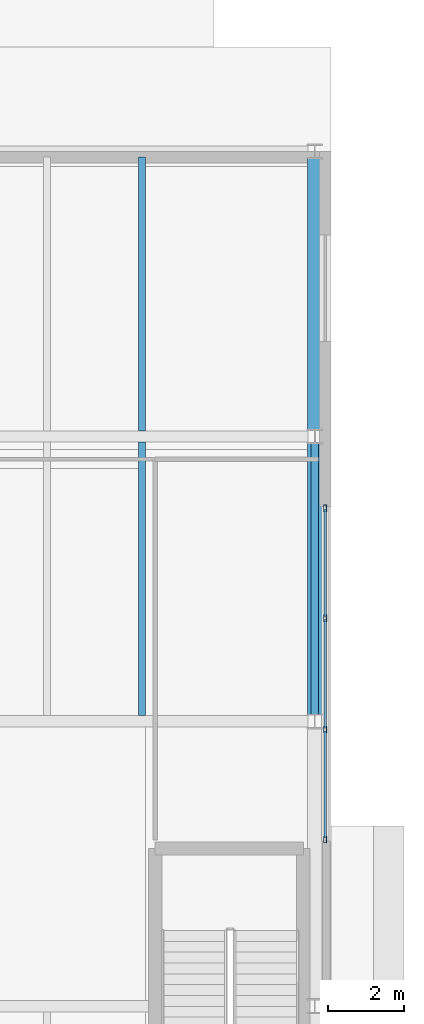
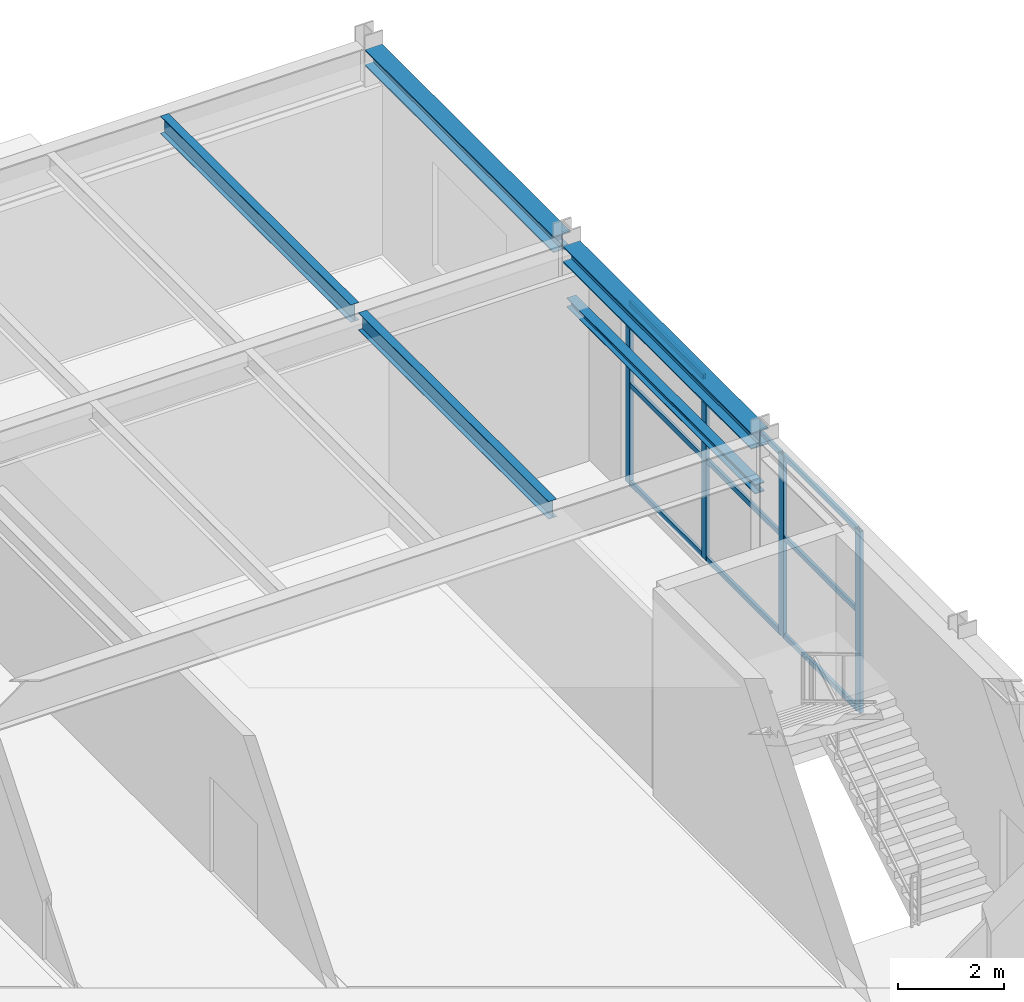
# One storey, part 11 of 21: 13 members, 5 beams, 1 element without a shape of its own.
"""IFC4 building model written with IfcOpenShell, lengths in metres."""

from ifc_helpers import new_model, si_unit, direction, frame, origin, origin_2d, place, context, subcontext, project, spatial, hollow_rectangle, i_section, extrude, material, layer, layer_set, material_profile, profile_set, type_object, element, aggregate, save


model = new_model("IFC4")

# Units and contexts
model_context = context("Model", 3, precision=1e-05, world=origin(), true_north=direction((0.0, 1.0)))
body_context = subcontext(model_context, "Body", "Model", "MODEL_VIEW")
ifc_project = project(units=[si_unit("LENGTHUNIT", "METRE"), si_unit("AREAUNIT", "SQUARE_METRE"), si_unit("VOLUMEUNIT", "CUBIC_METRE"), si_unit("PLANEANGLEUNIT", "RADIAN"), si_unit("MASSUNIT", "GRAM", prefix="KILO")], contexts=[model_context])

# Site, building, storey
site_placement = place(None, origin())
site = spatial("IfcSite", under=ifc_project, at=site_placement, CompositionType="ELEMENT")
building_placement = place(site_placement, origin())
building = spatial("IfcBuilding", under=site, at=building_placement, Name="Mersakhor Tower and Convention Hall", CompositionType="ELEMENT")
storey_placement = place(building_placement, origin())
storey = spatial("IfcBuildingStorey", under=building, at=storey_placement, Name="L00", CompositionType="ELEMENT", Elevation=0.0)

# Beams
ifc_material_1 = material(Name="Steel S355", Category="steel")
ifc_material_profile_1 = material_profile(ifc_material_1, i_section(OverallWidth=0.1787109375, OverallDepth=0.409423828125, WebThickness=0.0087890625, FlangeThickness=0.014404296875, at=origin_2d()), Name="UB 406x178x67")
ifc_profile_set_1 = profile_set([ifc_material_profile_1], Name="Steel S355")
beam_type_1 = type_object("IfcBeamType", Name="BM-JST-406", PredefinedType="JOIST", material=ifc_profile_set_1)
for number, where, z_axis, x_axis, name in (
    (1, (72.10009765625, 33.39697265625, 4.5751953125), (0.0, 1.0, 0.0), (-1.0, 0.0, 0.0), "Convention L00 Composite Floor Joist CJ-5-72"),
    (2, (72.10009765625, 40.89697265625, 4.5751953125), (0.0, 1.0, 0.0), (-1.0, 0.0, 0.0), "Convention L00 Composite Floor Joist CJ-6-72"),
):
    element("IfcBeam", number, at=place(storey_placement, frame(where, z_axis=z_axis, x_axis=x_axis)), inside=storey, type_object=beam_type_1, Name=name, PredefinedType="JOIST", context=body_context, shape_type="SweptSolid", body=[
        extrude(i_section(OverallWidth=0.1787109375, OverallDepth=0.409423828125, WebThickness=0.0087890625, FlangeThickness=0.014404296875, at=origin_2d()), origin(), (0.0, 0.0, 1.0), 7.2060546875),
    ])
ifc_material_2 = material(Name="Steel S355", Category="steel")
ifc_material_profile_2 = material_profile(ifc_material_2, i_section(OverallWidth=0.205810546875, OverallDepth=0.209716796875, WebThickness=0.009521484375, FlangeThickness=0.01416015625, at=origin_2d()), Name="UC 203x203x60")
ifc_profile_set_2 = profile_set([ifc_material_profile_2], Name="Steel S355")
beam_type_2 = type_object("IfcBeamType", Name="BM-LNT-UC203", PredefinedType="LINTEL", material=ifc_profile_set_2)
beam_placement = place(storey_placement, frame((76.64990234375, 33.429931640625, 3.449951171875), z_axis=(0.0, 1.0, 0.0), x_axis=(-1.0, 0.0, 0.0)))
element("IfcBeam", 3, at=beam_placement, inside=storey, type_object=beam_type_2, Name="Convention L00 Opening Lintel Beam LNT-5", PredefinedType="LINTEL", context=body_context, shape_type="SweptSolid", body=[
    extrude(i_section(OverallWidth=0.205810546875, OverallDepth=0.209716796875, WebThickness=0.009521484375, FlangeThickness=0.01416015625, at=origin_2d()), origin(), (0.0, 0.0, 1.0), 7.14013671875),
])
ifc_material_3 = material(Name="Steel S355", Category="steel")
ifc_material_profile_3 = material_profile(ifc_material_3, i_section(OverallWidth=0.374755859375, OverallDepth=0.37451171875, WebThickness=0.0166015625, FlangeThickness=0.027099609375, at=origin_2d()), Name="UC 356x368x202")
ifc_profile_set_3 = profile_set([ifc_material_profile_3], Name="Steel S355")
beam_type_3 = type_object("IfcBeamType", Name="BM-SPD-UC356", PredefinedType="SPANDREL", material=ifc_profile_set_3)
for number, where, z_axis, x_axis, name in (
    (4, (76.64990234375, 33.429931640625, 4.593017578125), (0.0, 1.0, 0.0), (-1.0, 0.0, 0.0), "Convention L00 Edge Spandrel E5"),
    (5, (76.64990234375, 40.929931640625, 4.593017578125), (0.0, 1.0, 0.0), (-1.0, 0.0, 0.0), "Convention L00 Edge Spandrel E6"),
):
    element("IfcBeam", number, at=place(storey_placement, frame(where, z_axis=z_axis, x_axis=x_axis)), inside=storey, type_object=beam_type_3, Name=name, PredefinedType="SPANDREL", context=body_context, shape_type="SweptSolid", body=[
        extrude(i_section(OverallWidth=0.374755859375, OverallDepth=0.37451171875, WebThickness=0.0166015625, FlangeThickness=0.027099609375, at=origin_2d()), origin(), (0.0, 0.0, 1.0), 7.14013671875),
    ])

# Curtain wall, members
ifc_material_4 = material(Name="Dark solar low-E aluminium curtain wall", Category="aluminium")
ifc_layer = layer(ifc_material_4, 0.219970703125)
ifc_layer_set = layer_set([ifc_layer], Name="Dark solar low-E aluminium curtain wall")
curtain_wall_type = type_object("IfcCurtainWallType", Name="CW-SYS-07", PredefinedType="USERDEFINED", material=ifc_layer_set)
curtain_wall_placement = place(storey_placement, origin())
curtain_wall = element("IfcCurtainWall", 6, at=curtain_wall_placement, inside=storey, type_object=curtain_wall_type, Name="Convention L00 East Curtain Wall", ObjectType="CURTAIN WALL", PredefinedType="USERDEFINED")
ifc_material_5 = material(Name="Anodised aluminium EN AW-6063 T6", Category="aluminium")
ifc_material_profile_4 = material_profile(ifc_material_5, hollow_rectangle(XDim=0.080078125, YDim=0.179931640625, WallThickness=0.008056640625, at=origin_2d()), Name="RHS 180x80x8")
ifc_profile_set_4 = profile_set([ifc_material_profile_4], Name="Anodised aluminium EN AW-6063 T6")
member_type_1 = type_object("IfcMemberType", Name="CWM-180x80", PredefinedType="MULLION", material=ifc_profile_set_4)
member_1_placement = place(storey_placement, frame((76.925048828125, 38.860107421875, 0.199951171875), z_axis=(0.0, 0.0, 1.0), x_axis=(1.0, 0.0, 0.0)))
member_1 = element("IfcMember", 7, at=member_1_placement, type_object=member_type_1, Name="CW-07 mullion 1", PredefinedType="MULLION", context=body_context, shape_type="SweptSolid", body=[
    extrude(hollow_rectangle(XDim=0.080078125, YDim=0.179931640625, WallThickness=0.008056640625, at=origin_2d()), origin(), (0.0, 0.0, 1.0), 4.199951171875),
])
member_2_placement = place(storey_placement, frame((76.925048828125, 35.966552734375, 0.199951171875), z_axis=(0.0, 0.0, 1.0), x_axis=(1.0, 0.0, 0.0)))
member_2 = element("IfcMember", 8, at=member_2_placement, type_object=member_type_1, Name="CW-07 mullion 2", PredefinedType="MULLION", context=body_context, shape_type="SweptSolid", body=[
    extrude(hollow_rectangle(XDim=0.080078125, YDim=0.179931640625, WallThickness=0.008056640625, at=origin_2d()), origin(), (0.0, 0.0, 1.0), 4.199951171875),
])
member_3_placement = place(storey_placement, frame((76.925048828125, 33.033447265625, 0.199951171875), z_axis=(0.0, 0.0, 1.0), x_axis=(1.0, 0.0, 0.0)))
member_3 = element("IfcMember", 9, at=member_3_placement, type_object=member_type_1, Name="CW-07 mullion 3", PredefinedType="MULLION", context=body_context, shape_type="SweptSolid", body=[
    extrude(hollow_rectangle(XDim=0.080078125, YDim=0.179931640625, WallThickness=0.008056640625, at=origin_2d()), origin(), (0.0, 0.0, 1.0), 4.199951171875),
])
member_4_placement = place(storey_placement, frame((76.925048828125, 30.139892578125, 0.199951171875), z_axis=(0.0, 0.0, 1.0), x_axis=(1.0, 0.0, 0.0)))
member_4 = element("IfcMember", 10, at=member_4_placement, type_object=member_type_1, Name="CW-07 mullion 4", PredefinedType="MULLION", context=body_context, shape_type="SweptSolid", body=[
    extrude(hollow_rectangle(XDim=0.080078125, YDim=0.179931640625, WallThickness=0.008056640625, at=origin_2d()), origin(), (0.0, 0.0, 1.0), 4.199951171875),
])
ifc_material_6 = material(Name="Anodised aluminium EN AW-6063 T6", Category="aluminium")
ifc_material_profile_5 = material_profile(ifc_material_6, hollow_rectangle(XDim=0.06005859375, YDim=0.1201171875, WallThickness=0.0048828125, at=origin_2d()), Name="RHS 120x60x5")
ifc_profile_set_5 = profile_set([ifc_material_profile_5], Name="Anodised aluminium EN AW-6063 T6")
member_type_2 = type_object("IfcMemberType", Name="CWT-120x60", PredefinedType="USERDEFINED", material=ifc_profile_set_5)
member_5_placement = place(storey_placement, frame((76.925048828125, 38.820068359375, 0.22998046875), z_axis=(0.0, -1.0, 0.0), x_axis=(1.0, 0.0, 0.0)))
member_5 = element("IfcMember", 11, at=member_5_placement, type_object=member_type_2, Name="CW-07 transom 1.1", ObjectType="TRANSOM", PredefinedType="USERDEFINED", context=body_context, shape_type="SweptSolid", body=[
    extrude(hollow_rectangle(XDim=0.06005859375, YDim=0.1201171875, WallThickness=0.0048828125, at=origin_2d()), origin(), (0.0, 0.0, 1.0), 2.8134765625),
])
member_6_placement = place(storey_placement, frame((76.925048828125, 38.820068359375, 2.5), z_axis=(0.0, -1.0, 0.0), x_axis=(1.0, 0.0, 0.0)))
member_6 = element("IfcMember", 12, at=member_6_placement, type_object=member_type_2, Name="CW-07 transom 1.2", ObjectType="TRANSOM", PredefinedType="USERDEFINED", context=body_context, shape_type="SweptSolid", body=[
    extrude(hollow_rectangle(XDim=0.06005859375, YDim=0.1201171875, WallThickness=0.0048828125, at=origin_2d()), origin(), (0.0, 0.0, 1.0), 2.8134765625),
])
member_7_placement = place(storey_placement, frame((76.925048828125, 38.820068359375, 4.3701171875), z_axis=(0.0, -1.0, 0.0), x_axis=(1.0, 0.0, 0.0)))
member_7 = element("IfcMember", 13, at=member_7_placement, type_object=member_type_2, Name="CW-07 transom 1.3", ObjectType="TRANSOM", PredefinedType="USERDEFINED", context=body_context, shape_type="SweptSolid", body=[
    extrude(hollow_rectangle(XDim=0.06005859375, YDim=0.1201171875, WallThickness=0.0048828125, at=origin_2d()), origin(), (0.0, 0.0, 1.0), 2.8134765625),
])
member_8_placement = place(storey_placement, frame((76.925048828125, 35.9267578125, 0.22998046875), z_axis=(0.0, -1.0, 0.0), x_axis=(1.0, 0.0, 0.0)))
member_8 = element("IfcMember", 14, at=member_8_placement, type_object=member_type_2, Name="CW-07 transom 2.1", ObjectType="TRANSOM", PredefinedType="USERDEFINED", context=body_context, shape_type="SweptSolid", body=[
    extrude(hollow_rectangle(XDim=0.06005859375, YDim=0.1201171875, WallThickness=0.0048828125, at=origin_2d()), origin(), (0.0, 0.0, 1.0), 2.853515625),
])
member_9_placement = place(storey_placement, frame((76.925048828125, 35.9267578125, 2.5), z_axis=(0.0, -1.0, 0.0), x_axis=(1.0, 0.0, 0.0)))
member_9 = element("IfcMember", 15, at=member_9_placement, type_object=member_type_2, Name="CW-07 transom 2.2", ObjectType="TRANSOM", PredefinedType="USERDEFINED", context=body_context, shape_type="SweptSolid", body=[
    extrude(hollow_rectangle(XDim=0.06005859375, YDim=0.1201171875, WallThickness=0.0048828125, at=origin_2d()), origin(), (0.0, 0.0, 1.0), 2.853515625),
])
member_10_placement = place(storey_placement, frame((76.925048828125, 35.9267578125, 4.3701171875), z_axis=(0.0, -1.0, 0.0), x_axis=(1.0, 0.0, 0.0)))
member_10 = element("IfcMember", 16, at=member_10_placement, type_object=member_type_2, Name="CW-07 transom 2.3", ObjectType="TRANSOM", PredefinedType="USERDEFINED", context=body_context, shape_type="SweptSolid", body=[
    extrude(hollow_rectangle(XDim=0.06005859375, YDim=0.1201171875, WallThickness=0.0048828125, at=origin_2d()), origin(), (0.0, 0.0, 1.0), 2.853515625),
])
member_11_placement = place(storey_placement, frame((76.925048828125, 32.993408203125, 0.22998046875), z_axis=(0.0, -1.0, 0.0), x_axis=(1.0, 0.0, 0.0)))
member_11 = element("IfcMember", 17, at=member_11_placement, type_object=member_type_2, Name="CW-07 transom 3.1", ObjectType="TRANSOM", PredefinedType="USERDEFINED", context=body_context, shape_type="SweptSolid", body=[
    extrude(hollow_rectangle(XDim=0.06005859375, YDim=0.1201171875, WallThickness=0.0048828125, at=origin_2d()), origin(), (0.0, 0.0, 1.0), 2.8134765625),
])
member_12_placement = place(storey_placement, frame((76.925048828125, 32.993408203125, 2.5), z_axis=(0.0, -1.0, 0.0), x_axis=(1.0, 0.0, 0.0)))
member_12 = element("IfcMember", 18, at=member_12_placement, type_object=member_type_2, Name="CW-07 transom 3.2", ObjectType="TRANSOM", PredefinedType="USERDEFINED", context=body_context, shape_type="SweptSolid", body=[
    extrude(hollow_rectangle(XDim=0.06005859375, YDim=0.1201171875, WallThickness=0.0048828125, at=origin_2d()), origin(), (0.0, 0.0, 1.0), 2.8134765625),
])
member_13_placement = place(storey_placement, frame((76.925048828125, 32.993408203125, 4.3701171875), z_axis=(0.0, -1.0, 0.0), x_axis=(1.0, 0.0, 0.0)))
member_13 = element("IfcMember", 19, at=member_13_placement, type_object=member_type_2, Name="CW-07 transom 3.3", ObjectType="TRANSOM", PredefinedType="USERDEFINED", context=body_context, shape_type="SweptSolid", body=[
    extrude(hollow_rectangle(XDim=0.06005859375, YDim=0.1201171875, WallThickness=0.0048828125, at=origin_2d()), origin(), (0.0, 0.0, 1.0), 2.8134765625),
])
aggregate(curtain_wall, [member_1, member_2, member_3, member_4, member_5, member_6, member_7, member_8, member_9, member_10, member_11, member_12, member_13])

save(model, "model.ifc")
